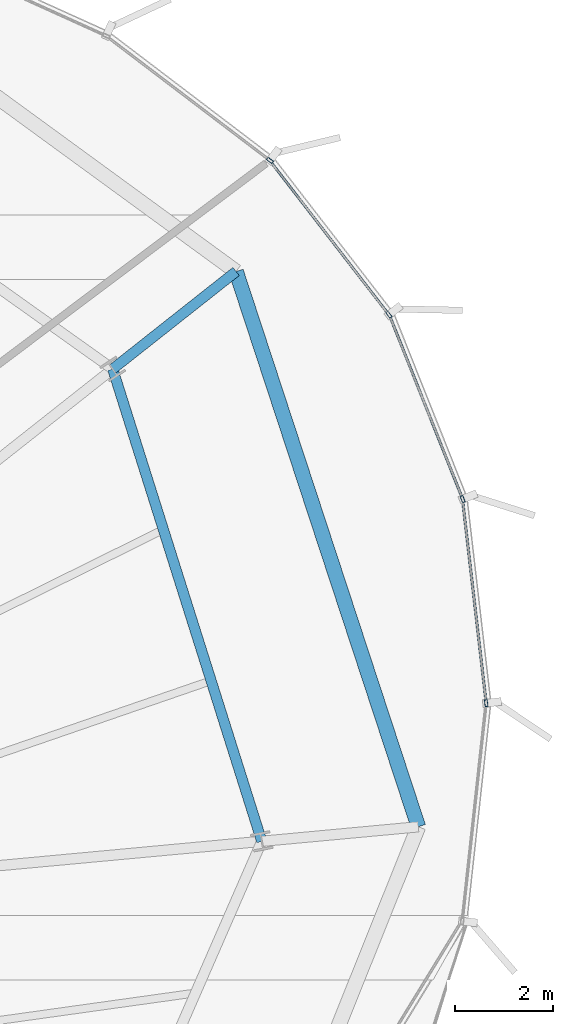
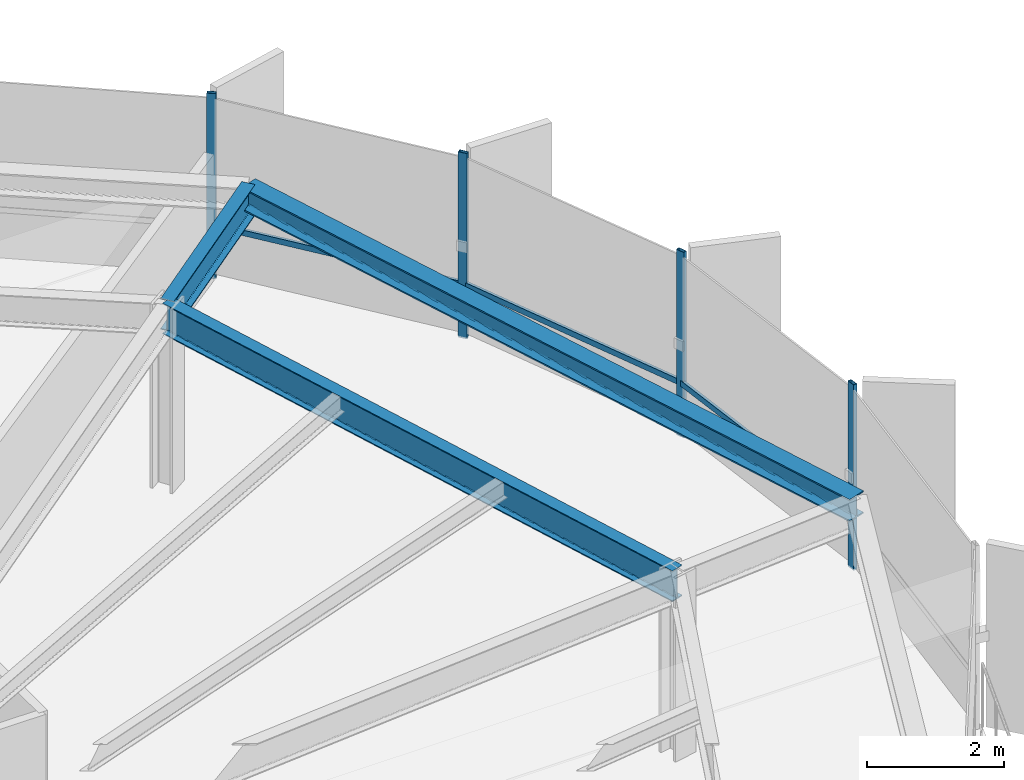
# One storey, part 24 of 34: 7 members, 3 beams, 2 elements without a shape of their own.
"""IFC4 building model written with IfcOpenShell, lengths in metres."""

from ifc_helpers import new_model, si_unit, direction, frame, origin, origin_2d, place, context, subcontext, project, spatial, hollow_rectangle, i_section, extrude, source, transform, mapped, material, layer, layer_set, material_profile, profile_set, type_object, element, aggregate, save


model = new_model("IFC4")

# Units and contexts
model_context = context("Model", 3, precision=1e-05, world=origin(), true_north=direction((0.0, 1.0)))
body_context = subcontext(model_context, "Body", "Model", "MODEL_VIEW")
ifc_project = project(units=[si_unit("LENGTHUNIT", "METRE"), si_unit("AREAUNIT", "SQUARE_METRE"), si_unit("VOLUMEUNIT", "CUBIC_METRE"), si_unit("PLANEANGLEUNIT", "RADIAN"), si_unit("MASSUNIT", "GRAM", prefix="KILO"), si_unit("THERMODYNAMICTEMPERATUREUNIT", "KELVIN")], contexts=[model_context])

# Site, building, storey
site_placement = place(None, origin())
site = spatial("IfcSite", under=ifc_project, at=site_placement, CompositionType="ELEMENT")
building_placement = place(site_placement, origin())
building = spatial("IfcBuilding", under=site, at=building_placement, Name="Kethvar Cultural Tower", CompositionType="ELEMENT")
storey_placement = place(building_placement, frame((0.0, 0.0, 153.64990234375)))
storey = spatial("IfcBuildingStorey", under=building, at=storey_placement, Name="L39", CompositionType="ELEMENT", Elevation=153.64990234375)

# Beams
ifc_material_1 = material(Name="Steel S355J2", Category="steel")
ifc_material_profile_1 = material_profile(ifc_material_1, i_section(OverallWidth=0.2099609375, OverallDepth=0.550048828125, WebThickness=0.010986328125, FlangeThickness=0.01708984375, FilletRadius=0.02392578125, at=origin_2d()), Name="Steel S355J2 — IPE550")
ifc_profile_set_1 = profile_set([ifc_material_profile_1], Name="Steel S355J2 — IPE550")
beam_type_1 = type_object("IfcBeamType", Name="BM-IPE550", PredefinedType="BEAM", material=ifc_profile_set_1)
shared_shape_1 = source(origin(), body_context, "Body", "SweptSolid", [
    extrude(i_section(OverallWidth=0.2099609375, OverallDepth=0.550048828125, WebThickness=0.010986328125, FlangeThickness=0.01708984375, FilletRadius=0.02392578125, at=origin_2d()), origin(), (0.0, 0.0, 1.0), 3.2001953125),
])
beam_1_placement = place(storey_placement, frame((68.568603515625, 42.34521484375, 3.023193359375), z_axis=(0.784650322996, 0.619938602301, 0.0), x_axis=(-0.619938602301, 0.784650322996, 0.0)))
element("IfcBeam", 1, at=beam_1_placement, inside=storey, type_object=beam_type_1, Name="L39 Perimeter Cantilever Beam RC-02", PredefinedType="BEAM", context=body_context, shape_type="MappedRepresentation", body=[
    mapped(shared_shape_1, transform((0.0, 0.0, 0.0), scale=1.0)),
])
shared_shape_2 = source(origin(), body_context, "Body", "SweptSolid", [
    extrude(i_section(OverallWidth=0.2099609375, OverallDepth=0.550048828125, WebThickness=0.010986328125, FlangeThickness=0.01708984375, FilletRadius=0.02392578125, at=origin_2d()), origin(), (0.0, 0.0, 1.0), 10.079345703125),
])
beam_2_placement = place(storey_placement, frame((71.6025390625, 32.7333984375, 3.023193359375), z_axis=(-0.301007326566, 0.953621827222, 0.0), x_axis=(-0.953621827222, -0.301007326566, 0.0)))
element("IfcBeam", 2, at=beam_2_placement, inside=storey, type_object=beam_type_1, Name="L39 Column Ring Tie Beam CR-01", PredefinedType="BEAM", context=body_context, shape_type="MappedRepresentation", body=[
    mapped(shared_shape_2, transform((0.0, 0.0, 0.0), scale=1.0)),
])
ifc_material_profile_2 = material_profile(ifc_material_1, i_section(OverallWidth=0.300048828125, OverallDepth=0.39990234375, WebThickness=0.013427734375, FlangeThickness=0.02392578125, FilletRadius=0.027099609375, at=origin_2d()), Name="Steel S355J2 — HEB400")
ifc_profile_set_2 = profile_set([ifc_material_profile_2], Name="Steel S355J2 — HEB400")
beam_type_2 = type_object("IfcBeamType", Name="BM-SP400", PredefinedType="SPANDREL", material=ifc_profile_set_2)
shared_shape_3 = source(origin(), body_context, "Body", "SweptSolid", [
    extrude(i_section(OverallWidth=0.300048828125, OverallDepth=0.39990234375, WebThickness=0.013427734375, FlangeThickness=0.02392578125, FilletRadius=0.027099609375, at=origin_2d()), origin(), (0.0, 0.0, 1.0), 11.8935546875),
])
beam_3_placement = place(storey_placement, frame((74.788818359375, 33.02880859375, 3.09814453125), z_axis=(-0.311870604739, 0.95012458441, 0.0), x_axis=(-0.95012458441, -0.311870604739, 0.0)))
element("IfcBeam", 3, at=beam_3_placement, inside=storey, type_object=beam_type_2, Name="L39 Perimeter Spandrel Beam SP-01", PredefinedType="SPANDREL", context=body_context, shape_type="MappedRepresentation", body=[
    mapped(shared_shape_3, transform((0.0, 0.0, 0.0), scale=1.0)),
])

# Curtain wall, members
ifc_material_2 = material(Name="Aluminium 6063-T6", Category="aluminium")
ifc_layer = layer(ifc_material_2, 0.179931640625, Name="Aluminium 6063-T6", Category="aluminium")
ifc_layer_set = layer_set([ifc_layer], Name="Aluminium 6063-T6 (180 mm)")
curtain_wall_type = type_object("IfcCurtainWallType", Name="CW-SYS-04-Z34", PredefinedType="NOTDEFINED", material=ifc_layer_set)
curtain_wall_1_placement = place(storey_placement, origin())
curtain_wall_1 = element("IfcCurtainWall", 4, at=curtain_wall_1_placement, inside=storey, type_object=curtain_wall_type, Name="L39 Curtain Wall Run 01", PredefinedType="NOTDEFINED")
ifc_material_profile_3 = material_profile(ifc_material_2, hollow_rectangle(XDim=0.06005859375, YDim=0.139892578125, WallThickness=0.0048828125, at=origin_2d()), Name="Aluminium 6063-T6 — RHS140x60x5")
ifc_profile_set_3 = profile_set([ifc_material_profile_3], Name="Aluminium 6063-T6 — RHS140x60x5")
member_type_1 = type_object("IfcMemberType", Name="CW-SYS-04-Z34-MUL", PredefinedType="MULLION", material=ifc_profile_set_3)
shared_shape_4 = source(origin(), body_context, "Body", "SweptSolid", [
    extrude(hollow_rectangle(XDim=0.06005859375, YDim=0.139892578125, WallThickness=0.0048828125, at=origin_2d()), origin(), (0.0, 0.0, 1.0), 3.300048828125),
])
member_1_placement = place(storey_placement, frame((74.18994140625, 43.44970703125, 0.0), z_axis=(0.0, 0.0, 1.0), x_axis=(-0.791212859687, -0.611540849548, 0.0)))
member_1 = element("IfcMember", 5, at=member_1_placement, type_object=member_type_1, Name="CW-L39-R01 Mullion 1", PredefinedType="MULLION", context=body_context, shape_type="MappedRepresentation", body=[
    mapped(shared_shape_4, transform((0.0, 0.0, 0.0), scale=1.0)),
])
member_2_placement = place(storey_placement, frame((71.767578125, 46.590087890625, 0.0), z_axis=(0.0, 0.0, 1.0), x_axis=(-0.605071678752, -0.796171001464, 0.0)))
member_2 = element("IfcMember", 6, at=member_2_placement, type_object=member_type_1, Name="CW-L39-R01 Mullion 2", PredefinedType="MULLION", context=body_context, shape_type="MappedRepresentation", body=[
    mapped(shared_shape_4, transform((0.0, 0.0, 0.0), scale=1.0)),
])

curtain_wall_2_placement = place(storey_placement, origin())
curtain_wall_2 = element("IfcCurtainWall", 7, at=curtain_wall_2_placement, inside=storey, type_object=curtain_wall_type, Name="L39 Curtain Wall Run 06", PredefinedType="NOTDEFINED")
member_3_placement = place(storey_placement, frame((76.169189453125, 35.544189453125, 0.0), z_axis=(0.0, 0.0, 1.0), x_axis=(-0.993302369153, -0.115543945901, 0.0)))
member_3 = element("IfcMember", 8, at=member_3_placement, type_object=member_type_1, Name="CW-L39-R06 Mullion 5", PredefinedType="MULLION", context=body_context, shape_type="MappedRepresentation", body=[
    mapped(shared_shape_4, transform((0.0, 0.0, 0.0), scale=1.0)),
])
member_4_placement = place(storey_placement, frame((75.68994140625, 39.69775390625, 0.0), z_axis=(0.0, 0.0, 1.0), x_axis=(-0.929145477565, -0.369714324203, 0.0)))
member_4 = element("IfcMember", 9, at=member_4_placement, type_object=member_type_1, Name="CW-L39-R06 Mullion 6", PredefinedType="MULLION", context=body_context, shape_type="MappedRepresentation", body=[
    mapped(shared_shape_4, transform((0.0, 0.0, 0.0), scale=1.0)),
])

# Member
ifc_material_profile_4 = material_profile(ifc_material_2, hollow_rectangle(XDim=0.050048828125, YDim=0.10009765625, WallThickness=0.00390625, at=origin_2d()), Name="Aluminium 6063-T6 — RHS100x50x4")
ifc_profile_set_4 = profile_set([ifc_material_profile_4], Name="Aluminium 6063-T6 — RHS100x50x4")
member_type_2 = type_object("IfcMemberType", Name="CW-SYS-04-Z34-TRN", PredefinedType="USERDEFINED", material=ifc_profile_set_4)
shared_shape_5 = source(origin(), body_context, "Body", "SweptSolid", [
    extrude(hollow_rectangle(XDim=0.050048828125, YDim=0.10009765625, WallThickness=0.00390625, at=origin_2d()), origin(), (0.0, 0.0, 1.0), 3.947265625),
])
member_5_placement = place(storey_placement, frame((74.1875, 43.453125, 0.9501953125), z_axis=(-0.611574234021, 0.791187055178, 0.0), x_axis=(-0.791187055178, -0.611574234021, 0.0)))
member_5 = element("IfcMember", 10, at=member_5_placement, type_object=member_type_2, Name="CW-L39-R01 Transom 1", ObjectType="TRANSOM", PredefinedType="USERDEFINED", context=body_context, shape_type="MappedRepresentation", body=[
    mapped(shared_shape_5, transform((0.0, 0.0, 0.0), scale=1.0)),
])

aggregate(curtain_wall_1, [member_1, member_2, member_5])

shared_shape_6 = source(origin(), body_context, "Body", "SweptSolid", [
    extrude(hollow_rectangle(XDim=0.050048828125, YDim=0.10009765625, WallThickness=0.00390625, at=origin_2d()), origin(), (0.0, 0.0, 1.0), 4.123291015625),
])
member_6_placement = place(storey_placement, frame((76.164306640625, 35.587158203125, 0.9501953125), z_axis=(-0.115518520022, 0.993305326439, 0.0), x_axis=(-0.993305326439, -0.115518520022, 0.0)))
member_6 = element("IfcMember", 11, at=member_6_placement, type_object=member_type_2, Name="CW-L39-R06 Transom 5", ObjectType="TRANSOM", PredefinedType="USERDEFINED", context=body_context, shape_type="MappedRepresentation", body=[
    mapped(shared_shape_6, transform((0.0, 0.0, 0.0), scale=1.0)),
])

shared_shape_7 = source(origin(), body_context, "Body", "SweptSolid", [
    extrude(hollow_rectangle(XDim=0.050048828125, YDim=0.10009765625, WallThickness=0.00390625, at=origin_2d()), origin(), (0.0, 0.0, 1.0), 3.947509765625),
])
member_7_placement = place(storey_placement, frame((75.674072265625, 39.73779296875, 0.9501953125), z_axis=(-0.369726585758, 0.929140598502, 0.0), x_axis=(-0.929140598502, -0.369726585758, 0.0)))
member_7 = element("IfcMember", 12, at=member_7_placement, type_object=member_type_2, Name="CW-L39-R06 Transom 6", ObjectType="TRANSOM", PredefinedType="USERDEFINED", context=body_context, shape_type="MappedRepresentation", body=[
    mapped(shared_shape_7, transform((0.0, 0.0, 0.0), scale=1.0)),
])

aggregate(curtain_wall_2, [member_3, member_4, member_6, member_7])

save(model, "model.ifc")
